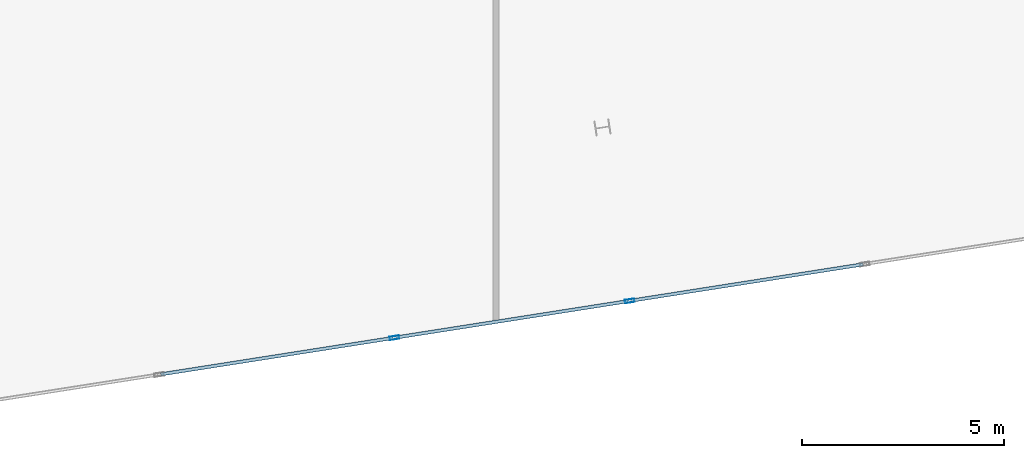
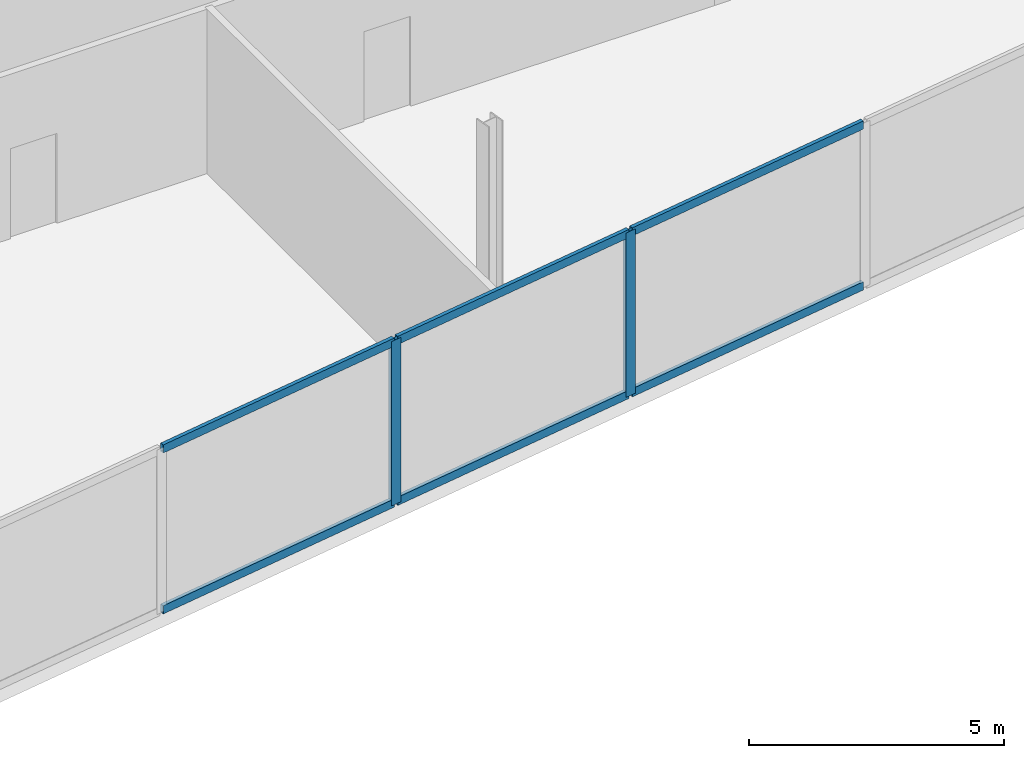
# One storey, part 3 of 13: 8 members, 1 element without a shape of its own.
"""IFC4 building model written with IfcOpenShell, lengths in metres."""

from ifc_helpers import new_model, si_unit, direction, frame, origin, origin_2d, place, context, subcontext, project, spatial, hollow_rectangle, extrude, material, material_profile, profile_set, type_object, element, aggregate, save


model = new_model("IFC4")

# Units and contexts
model_context = context("Model", 3, precision=1e-05, world=origin(), true_north=direction((0.0, 1.0)))
body_context = subcontext(model_context, "Body", "Model", "MODEL_VIEW")
ifc_project = project(units=[si_unit("LENGTHUNIT", "METRE"), si_unit("AREAUNIT", "SQUARE_METRE"), si_unit("VOLUMEUNIT", "CUBIC_METRE"), si_unit("PLANEANGLEUNIT", "RADIAN"), si_unit("MASSUNIT", "GRAM", prefix="KILO")], contexts=[model_context])

# Site, building, storey
site_placement = place(None, origin())
site = spatial("IfcSite", under=ifc_project, at=site_placement, CompositionType="ELEMENT")
building_placement = place(site_placement, origin())
building = spatial("IfcBuilding", under=site, at=building_placement, Name="Haldenkirk Collegiate Tower", CompositionType="ELEMENT")
storey_placement = place(building_placement, frame((0.0, 0.0, 356.39990234375)))
storey = spatial("IfcBuildingStorey", under=building, at=storey_placement, Name="L90", CompositionType="ELEMENT", Elevation=356.39990234375)

# Curtain wall, members
ifc_material = material(Name="Anodised architectural bronze aluminium", Category="aluminium")
curtain_wall_type = type_object("IfcCurtainWallType", Name="CW-SYS5-LANTERN", PredefinedType="USERDEFINED", material=ifc_material)
curtain_wall_placement = place(storey_placement, origin())
curtain_wall = element("IfcCurtainWall", 1, at=curtain_wall_placement, inside=storey, type_object=curtain_wall_type, Name="L90 Level L90 glazed crown lantern curtain wall", ObjectType="UNITISED CURTAIN WALL", PredefinedType="USERDEFINED")
ifc_material_profile_1 = material_profile(ifc_material, hollow_rectangle(XDim=0.0849609375, YDim=0.235107421875, WallThickness=0.0048828125, at=origin_2d()), Name="CW-MUL-05")
ifc_profile_set_1 = profile_set([ifc_material_profile_1], Name="Anodised architectural bronze aluminium")
member_type_1 = type_object("IfcMemberType", Name="CW-MUL-05", PredefinedType="MULLION", material=ifc_profile_set_1)
member_1_placement = place(storey_placement, frame((39.310791015625, 4.857666015625, 0.0), z_axis=(0.0, 0.0, 1.0), x_axis=(0.154708982189, -0.987960085646, 0.0)))
member_1 = element("IfcMember", 2, at=member_1_placement, type_object=member_type_1, Name="CW-05 mullion 4", PredefinedType="MULLION", context=body_context, shape_type="SweptSolid", body=[
    extrude(hollow_rectangle(XDim=0.0849609375, YDim=0.235107421875, WallThickness=0.0048828125, at=origin_2d()), origin(), (0.0, 0.0, 1.0), 3.93017578125),
])
member_2_placement = place(storey_placement, frame((33.48193359375, 3.94482421875, 0.0), z_axis=(0.0, 0.0, 1.0), x_axis=(0.154708982189, -0.987960085646, 0.0)))
member_2 = element("IfcMember", 3, at=member_2_placement, type_object=member_type_1, Name="CW-05 mullion 5", PredefinedType="MULLION", context=body_context, shape_type="SweptSolid", body=[
    extrude(hollow_rectangle(XDim=0.0849609375, YDim=0.235107421875, WallThickness=0.0048828125, at=origin_2d()), origin(), (0.0, 0.0, 1.0), 3.93017578125),
])
ifc_material_profile_2 = material_profile(ifc_material, hollow_rectangle(XDim=0.0849609375, YDim=0.195068359375, WallThickness=0.0048828125, at=origin_2d()), Name="CW-TRN-05")
ifc_profile_set_2 = profile_set([ifc_material_profile_2], Name="Anodised architectural bronze aluminium")
member_type_2 = type_object("IfcMemberType", Name="CW-TRN-05", PredefinedType="USERDEFINED", material=ifc_profile_set_2)
member_3_placement = place(storey_placement, frame((45.097900390625, 5.763916015625, 0.04248046875), z_axis=(-0.987959948292, -0.154709859317, 0.0), x_axis=(0.154709859317, -0.987959948292, 0.0)))
member_3 = element("IfcMember", 4, at=member_3_placement, type_object=member_type_2, Name="CW-05 transom 3.1", ObjectType="TRANSOM", PredefinedType="USERDEFINED", context=body_context, shape_type="SweptSolid", body=[
    extrude(hollow_rectangle(XDim=0.0849609375, YDim=0.195068359375, WallThickness=0.0048828125, at=origin_2d()), origin(), (0.0, 0.0, 1.0), 5.815185546875),
])
member_4_placement = place(storey_placement, frame((45.097900390625, 5.763916015625, 3.8876953125), z_axis=(-0.987959948292, -0.154709859317, 0.0), x_axis=(0.154709859317, -0.987959948292, 0.0)))
member_4 = element("IfcMember", 5, at=member_4_placement, type_object=member_type_2, Name="CW-05 transom 3.2", ObjectType="TRANSOM", PredefinedType="USERDEFINED", context=body_context, shape_type="SweptSolid", body=[
    extrude(hollow_rectangle(XDim=0.0849609375, YDim=0.195068359375, WallThickness=0.0048828125, at=origin_2d()), origin(), (0.0, 0.0, 1.0), 5.815185546875),
])
member_5_placement = place(storey_placement, frame((39.268798828125, 4.85107421875, 0.04248046875), z_axis=(-0.987958943345, -0.154716276666, 0.0), x_axis=(0.154716276666, -0.987958943345, 0.0)))
member_5 = element("IfcMember", 6, at=member_5_placement, type_object=member_type_2, Name="CW-05 transom 4.1", ObjectType="TRANSOM", PredefinedType="USERDEFINED", context=body_context, shape_type="SweptSolid", body=[
    extrude(hollow_rectangle(XDim=0.0849609375, YDim=0.195068359375, WallThickness=0.0048828125, at=origin_2d()), origin(), (0.0, 0.0, 1.0), 5.81494140625),
])
member_6_placement = place(storey_placement, frame((39.268798828125, 4.85107421875, 3.8876953125), z_axis=(-0.987958943345, -0.154716276666, 0.0), x_axis=(0.154716276666, -0.987958943345, 0.0)))
member_6 = element("IfcMember", 7, at=member_6_placement, type_object=member_type_2, Name="CW-05 transom 4.2", ObjectType="TRANSOM", PredefinedType="USERDEFINED", context=body_context, shape_type="SweptSolid", body=[
    extrude(hollow_rectangle(XDim=0.0849609375, YDim=0.195068359375, WallThickness=0.0048828125, at=origin_2d()), origin(), (0.0, 0.0, 1.0), 5.81494140625),
])
member_7_placement = place(storey_placement, frame((33.43994140625, 3.938232421875, 0.04248046875), z_axis=(-0.987959948292, -0.154709859317, 0.0), x_axis=(0.154709859317, -0.987959948292, 0.0)))
member_7 = element("IfcMember", 8, at=member_7_placement, type_object=member_type_2, Name="CW-05 transom 5.1", ObjectType="TRANSOM", PredefinedType="USERDEFINED", context=body_context, shape_type="SweptSolid", body=[
    extrude(hollow_rectangle(XDim=0.0849609375, YDim=0.195068359375, WallThickness=0.0048828125, at=origin_2d()), origin(), (0.0, 0.0, 1.0), 5.815185546875),
])
member_8_placement = place(storey_placement, frame((33.43994140625, 3.938232421875, 3.8876953125), z_axis=(-0.987959948292, -0.154709859317, 0.0), x_axis=(0.154709859317, -0.987959948292, 0.0)))
member_8 = element("IfcMember", 9, at=member_8_placement, type_object=member_type_2, Name="CW-05 transom 5.2", ObjectType="TRANSOM", PredefinedType="USERDEFINED", context=body_context, shape_type="SweptSolid", body=[
    extrude(hollow_rectangle(XDim=0.0849609375, YDim=0.195068359375, WallThickness=0.0048828125, at=origin_2d()), origin(), (0.0, 0.0, 1.0), 5.815185546875),
])
aggregate(curtain_wall, [member_1, member_2, member_3, member_4, member_5, member_6, member_7, member_8])

save(model, "model.ifc")
